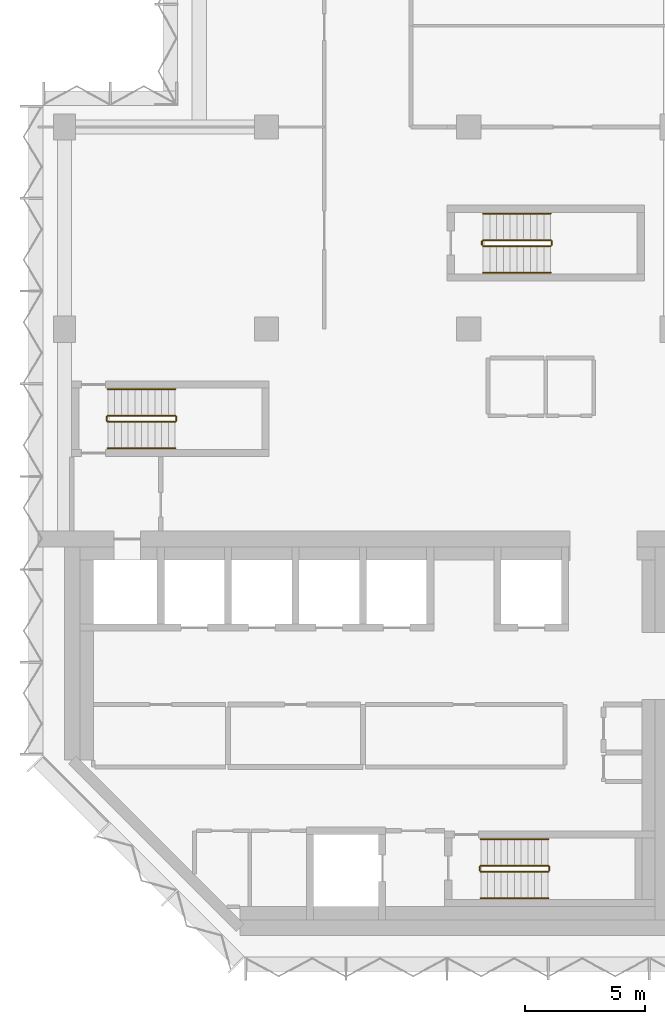
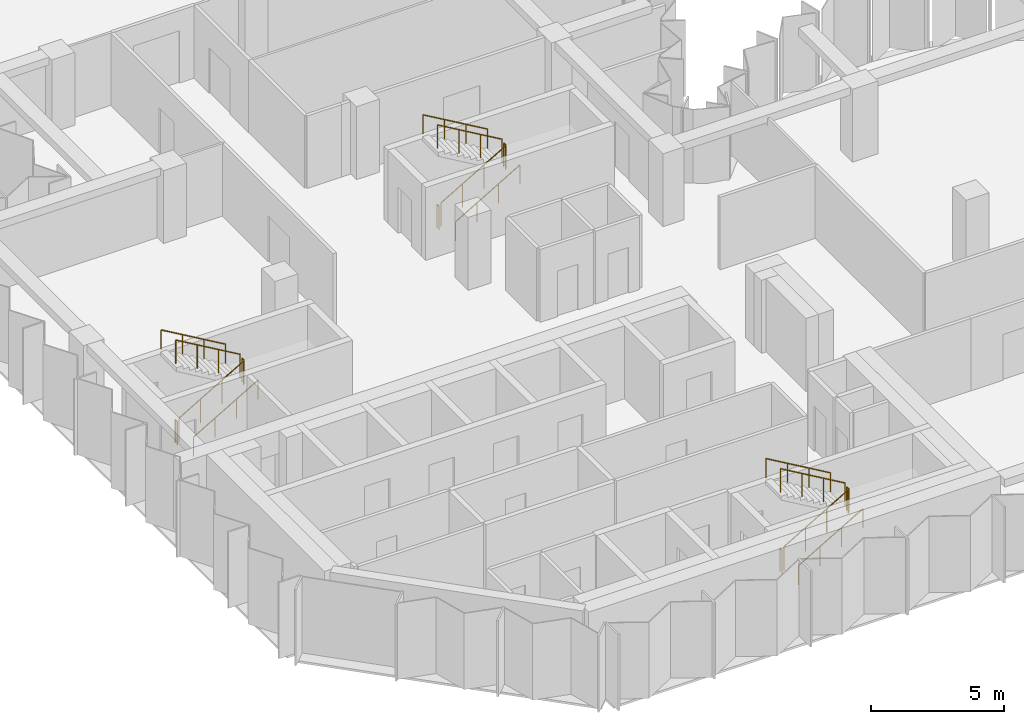
# One storey, part 8 of 9: 18 railings.
"""IFC4 building model written with IfcOpenShell, lengths in metres."""

from ifc_helpers import new_model, si_unit, direction, frame, origin, origin_2d, place, context, subcontext, project, spatial, circle, extrude, material, type_object, element, save


model = new_model("IFC4")

# Units and contexts
model_context = context("Model", 3, precision=1e-05, world=origin(), true_north=direction((0.0, 1.0)))
body_context = subcontext(model_context, "Body", "Model", "MODEL_VIEW")
ifc_project = project(units=[si_unit("LENGTHUNIT", "METRE"), si_unit("AREAUNIT", "SQUARE_METRE"), si_unit("VOLUMEUNIT", "CUBIC_METRE"), si_unit("PLANEANGLEUNIT", "RADIAN"), si_unit("MASSUNIT", "GRAM", prefix="KILO")], contexts=[model_context])

# Site, building, storey
site_placement = place(None, origin())
site = spatial("IfcSite", under=ifc_project, at=site_placement, CompositionType="ELEMENT")
building_placement = place(site_placement, origin())
building = spatial("IfcBuilding", under=site, at=building_placement, Name="Brevane Broadcast Tower", CompositionType="ELEMENT")
storey_placement = place(building_placement, frame((0.0, 0.0, 188.39990234375)))
storey = spatial("IfcBuildingStorey", under=building, at=storey_placement, Name="L47", CompositionType="ELEMENT", Elevation=188.39990234375)

# Railings
ifc_material = material(Name="Steel S355", Category="steel")
railing_type_1 = type_object("IfcRailingType", Name="Exit stair guard", PredefinedType="GUARDRAIL", material=ifc_material)
railing_1_placement = place(storey_placement, frame((1.800048828125, 21.35009765625, 0.163818359375)))
element("IfcRailing", 1, at=railing_1_placement, inside=storey, type_object=railing_type_1, Name="L47 ST-1 stair guard 1", PredefinedType="GUARDRAIL", context=body_context, shape_type="SweptSolid", body=[
    extrude(circle(Radius=0.02392578125, at=origin_2d()), frame((0.0, 0.0, 1.076171875), z_axis=(0.863393664356, 0.0, 0.504530851732), x_axis=(0.0, 1.0, 0.0)), (0.0, 0.0, 1.0), 3.2431640625),
    extrude(circle(Radius=0.02099609375, at=origin_2d()), origin(), (0.0, 0.0, 1.0), 1.052001953125),
    extrude(circle(Radius=0.02099609375, at=origin_2d()), frame((0.933349609375, 0.0, 0.54541015625)), (0.0, 0.0, 1.0), 1.052001953125),
    extrude(circle(Radius=0.02099609375, at=origin_2d()), frame((1.86669921875, 0.0, 1.0908203125)), (0.0, 0.0, 1.0), 1.052001953125),
    extrude(circle(Radius=0.02099609375, at=origin_2d()), frame((2.800048828125, 0.0, 1.63623046875)), (0.0, 0.0, 1.0), 1.052001953125),
])
railing_2_placement = place(storey_placement, frame((4.64990234375, 21.39990234375, 1.800048828125)))
element("IfcRailing", 2, at=railing_2_placement, inside=storey, type_object=railing_type_1, Name="L47 ST-1 stair guard 2", PredefinedType="GUARDRAIL", context=body_context, shape_type="SweptSolid", body=[
    extrude(circle(Radius=0.02392578125, at=origin_2d()), frame((0.0, 0.0, 1.076171875), z_axis=(0.0, 1.0, 0.0), x_axis=(-1.0, 0.0, 0.0)), (0.0, 0.0, 1.0), 0.150146484375),
    extrude(circle(Radius=0.02099609375, at=origin_2d()), origin(), (0.0, 0.0, 1.0), 1.052001953125),
    extrude(circle(Radius=0.02099609375, at=origin_2d()), frame((0.0, 0.150146484375, 0.0)), (0.0, 0.0, 1.0), 1.052001953125),
])
railing_3_placement = place(storey_placement, frame((4.60009765625, 21.60009765625, 1.963623046875)))
element("IfcRailing", 3, at=railing_3_placement, inside=storey, type_object=railing_type_1, Name="L47 ST-1 stair guard 3", PredefinedType="GUARDRAIL", context=body_context, shape_type="SweptSolid", body=[
    extrude(circle(Radius=0.02392578125, at=origin_2d()), frame((0.0, 0.0, 1.076171875), z_axis=(-0.863360870873, 0.0, 0.504586966384), x_axis=(0.0, -1.0, 0.0)), (0.0, 0.0, 1.0), 3.2431640625),
    extrude(circle(Radius=0.02099609375, at=origin_2d()), origin(), (0.0, 0.0, 1.0), 1.052001953125),
    extrude(circle(Radius=0.02099609375, at=origin_2d()), frame((-0.933349609375, 0.0, 0.54541015625)), (0.0, 0.0, 1.0), 1.052001953125),
    extrude(circle(Radius=0.02099609375, at=origin_2d()), frame((-1.86669921875, 0.0, 1.091064453125)), (0.0, 0.0, 1.0), 1.052001953125),
    extrude(circle(Radius=0.02099609375, at=origin_2d()), frame((-2.800048828125, 0.0, 1.636474609375)), (0.0, 0.0, 1.0), 1.052001953125),
])
railing_4_placement = place(storey_placement, frame((1.75, 21.39990234375, 0.0)))
element("IfcRailing", 4, at=railing_4_placement, inside=storey, type_object=railing_type_1, Name="L47 ST-1 stair guard 4", PredefinedType="GUARDRAIL", context=body_context, shape_type="SweptSolid", body=[
    extrude(circle(Radius=0.02392578125, at=origin_2d()), frame((0.0, 0.0, 1.076171875), z_axis=(0.0, 1.0, 0.0), x_axis=(-1.0, 0.0, 0.0)), (0.0, 0.0, 1.0), 0.150146484375),
    extrude(circle(Radius=0.02099609375, at=origin_2d()), origin(), (0.0, 0.0, 1.0), 1.052001953125),
    extrude(circle(Radius=0.02099609375, at=origin_2d()), frame((0.0, 0.150146484375, 0.0)), (0.0, 0.0, 1.0), 1.052001953125),
])
railing_5_placement = place(storey_placement, frame((17.300048828125, 2.64990234375, 0.163818359375)))
element("IfcRailing", 5, at=railing_5_placement, inside=storey, type_object=railing_type_1, Name="L47 ST-2 stair guard 1", PredefinedType="GUARDRAIL", context=body_context, shape_type="SweptSolid", body=[
    extrude(circle(Radius=0.02392578125, at=origin_2d()), frame((0.0, 0.0, 1.076171875), z_axis=(0.863393664356, 0.0, 0.504530851732), x_axis=(0.0, 1.0, 0.0)), (0.0, 0.0, 1.0), 3.2431640625),
    extrude(circle(Radius=0.02099609375, at=origin_2d()), origin(), (0.0, 0.0, 1.0), 1.052001953125),
    extrude(circle(Radius=0.02099609375, at=origin_2d()), frame((0.933349609375, 0.0, 0.54541015625)), (0.0, 0.0, 1.0), 1.052001953125),
    extrude(circle(Radius=0.02099609375, at=origin_2d()), frame((1.86669921875, 0.0, 1.0908203125)), (0.0, 0.0, 1.0), 1.052001953125),
    extrude(circle(Radius=0.02099609375, at=origin_2d()), frame((2.800048828125, 0.0, 1.63623046875)), (0.0, 0.0, 1.0), 1.052001953125),
])
railing_6_placement = place(storey_placement, frame((20.14990234375, 2.699951171875, 1.800048828125)))
element("IfcRailing", 6, at=railing_6_placement, inside=storey, type_object=railing_type_1, Name="L47 ST-2 stair guard 2", PredefinedType="GUARDRAIL", context=body_context, shape_type="SweptSolid", body=[
    extrude(circle(Radius=0.02392578125, at=origin_2d()), frame((0.0, 0.0, 1.076171875), z_axis=(0.0, 1.0, 0.0), x_axis=(-1.0, 0.0, 0.0)), (0.0, 0.0, 1.0), 0.150146484375),
    extrude(circle(Radius=0.02099609375, at=origin_2d()), origin(), (0.0, 0.0, 1.0), 1.052001953125),
    extrude(circle(Radius=0.02099609375, at=origin_2d()), frame((0.0, 0.150146484375, 0.0)), (0.0, 0.0, 1.0), 1.052001953125),
])
railing_7_placement = place(storey_placement, frame((20.10009765625, 2.89990234375, 1.963623046875)))
element("IfcRailing", 7, at=railing_7_placement, inside=storey, type_object=railing_type_1, Name="L47 ST-2 stair guard 3", PredefinedType="GUARDRAIL", context=body_context, shape_type="SweptSolid", body=[
    extrude(circle(Radius=0.02392578125, at=origin_2d()), frame((0.0, 0.0, 1.076171875), z_axis=(-0.863360870873, 0.0, 0.504586966384), x_axis=(0.0, -1.0, 0.0)), (0.0, 0.0, 1.0), 3.2431640625),
    extrude(circle(Radius=0.02099609375, at=origin_2d()), origin(), (0.0, 0.0, 1.0), 1.052001953125),
    extrude(circle(Radius=0.02099609375, at=origin_2d()), frame((-0.933349609375, 0.0, 0.54541015625)), (0.0, 0.0, 1.0), 1.052001953125),
    extrude(circle(Radius=0.02099609375, at=origin_2d()), frame((-1.86669921875, 0.0, 1.091064453125)), (0.0, 0.0, 1.0), 1.052001953125),
    extrude(circle(Radius=0.02099609375, at=origin_2d()), frame((-2.800048828125, 0.0, 1.636474609375)), (0.0, 0.0, 1.0), 1.052001953125),
])
railing_8_placement = place(storey_placement, frame((17.25, 2.699951171875, 0.0)))
element("IfcRailing", 8, at=railing_8_placement, inside=storey, type_object=railing_type_1, Name="L47 ST-2 stair guard 4", PredefinedType="GUARDRAIL", context=body_context, shape_type="SweptSolid", body=[
    extrude(circle(Radius=0.02392578125, at=origin_2d()), frame((0.0, 0.0, 1.076171875), z_axis=(0.0, 1.0, 0.0), x_axis=(-1.0, 0.0, 0.0)), (0.0, 0.0, 1.0), 0.150146484375),
    extrude(circle(Radius=0.02099609375, at=origin_2d()), origin(), (0.0, 0.0, 1.0), 1.052001953125),
    extrude(circle(Radius=0.02099609375, at=origin_2d()), frame((0.0, 0.150146484375, 0.0)), (0.0, 0.0, 1.0), 1.052001953125),
])
railing_9_placement = place(storey_placement, frame((17.39990234375, 28.64990234375, 0.163818359375)))
element("IfcRailing", 9, at=railing_9_placement, inside=storey, type_object=railing_type_1, Name="L47 ST-3 stair guard 1", PredefinedType="GUARDRAIL", context=body_context, shape_type="SweptSolid", body=[
    extrude(circle(Radius=0.02392578125, at=origin_2d()), frame((0.0, 0.0, 1.076171875), z_axis=(0.863393664356, 0.0, 0.504530851732), x_axis=(0.0, 1.0, 0.0)), (0.0, 0.0, 1.0), 3.2431640625),
    extrude(circle(Radius=0.02099609375, at=origin_2d()), origin(), (0.0, 0.0, 1.0), 1.052001953125),
    extrude(circle(Radius=0.02099609375, at=origin_2d()), frame((0.933349609375, 0.0, 0.54541015625)), (0.0, 0.0, 1.0), 1.052001953125),
    extrude(circle(Radius=0.02099609375, at=origin_2d()), frame((1.86669921875, 0.0, 1.0908203125)), (0.0, 0.0, 1.0), 1.052001953125),
    extrude(circle(Radius=0.02099609375, at=origin_2d()), frame((2.800048828125, 0.0, 1.63623046875)), (0.0, 0.0, 1.0), 1.052001953125),
])
railing_10_placement = place(storey_placement, frame((20.25, 28.699951171875, 1.800048828125)))
element("IfcRailing", 10, at=railing_10_placement, inside=storey, type_object=railing_type_1, Name="L47 ST-3 stair guard 2", PredefinedType="GUARDRAIL", context=body_context, shape_type="SweptSolid", body=[
    extrude(circle(Radius=0.02392578125, at=origin_2d()), frame((0.0, 0.0, 1.076171875), z_axis=(0.0, 1.0, 0.0), x_axis=(-1.0, 0.0, 0.0)), (0.0, 0.0, 1.0), 0.150146484375),
    extrude(circle(Radius=0.02099609375, at=origin_2d()), origin(), (0.0, 0.0, 1.0), 1.052001953125),
    extrude(circle(Radius=0.02099609375, at=origin_2d()), frame((0.0, 0.150146484375, 0.0)), (0.0, 0.0, 1.0), 1.052001953125),
])
railing_11_placement = place(storey_placement, frame((20.199951171875, 28.89990234375, 1.963623046875)))
element("IfcRailing", 11, at=railing_11_placement, inside=storey, type_object=railing_type_1, Name="L47 ST-3 stair guard 3", PredefinedType="GUARDRAIL", context=body_context, shape_type="SweptSolid", body=[
    extrude(circle(Radius=0.02392578125, at=origin_2d()), frame((0.0, 0.0, 1.076171875), z_axis=(-0.863360870873, 0.0, 0.504586966384), x_axis=(0.0, -1.0, 0.0)), (0.0, 0.0, 1.0), 3.2431640625),
    extrude(circle(Radius=0.02099609375, at=origin_2d()), origin(), (0.0, 0.0, 1.0), 1.052001953125),
    extrude(circle(Radius=0.02099609375, at=origin_2d()), frame((-0.933349609375, 0.0, 0.54541015625)), (0.0, 0.0, 1.0), 1.052001953125),
    extrude(circle(Radius=0.02099609375, at=origin_2d()), frame((-1.86669921875, 0.0, 1.091064453125)), (0.0, 0.0, 1.0), 1.052001953125),
    extrude(circle(Radius=0.02099609375, at=origin_2d()), frame((-2.800048828125, 0.0, 1.636474609375)), (0.0, 0.0, 1.0), 1.052001953125),
])
railing_12_placement = place(storey_placement, frame((17.35009765625, 28.699951171875, 0.0)))
element("IfcRailing", 12, at=railing_12_placement, inside=storey, type_object=railing_type_1, Name="L47 ST-3 stair guard 4", PredefinedType="GUARDRAIL", context=body_context, shape_type="SweptSolid", body=[
    extrude(circle(Radius=0.02392578125, at=origin_2d()), frame((0.0, 0.0, 1.076171875), z_axis=(0.0, 1.0, 0.0), x_axis=(-1.0, 0.0, 0.0)), (0.0, 0.0, 1.0), 0.150146484375),
    extrude(circle(Radius=0.02099609375, at=origin_2d()), origin(), (0.0, 0.0, 1.0), 1.052001953125),
    extrude(circle(Radius=0.02099609375, at=origin_2d()), frame((0.0, 0.150146484375, 0.0)), (0.0, 0.0, 1.0), 1.052001953125),
])
railing_type_2 = type_object("IfcRailingType", Name="Exit stair handrail", PredefinedType="HANDRAIL", material=ifc_material)
railing_13_placement = place(storey_placement, frame((1.800048828125, 20.25, 0.163818359375)))
element("IfcRailing", 13, at=railing_13_placement, inside=storey, type_object=railing_type_2, Name="L47 ST-1 stair handrail 1", PredefinedType="HANDRAIL", context=body_context, shape_type="SweptSolid", body=[
    extrude(circle(Radius=0.02392578125, at=origin_2d()), frame((0.0, 0.0, 0.8759765625), z_axis=(0.863393664356, 0.0, 0.504530851732), x_axis=(0.0, 1.0, 0.0)), (0.0, 0.0, 1.0), 3.2431640625),
    extrude(circle(Radius=0.02099609375, at=origin_2d()), origin(), (0.0, 0.0, 1.0), 0.851806640625),
    extrude(circle(Radius=0.02099609375, at=origin_2d()), frame((0.933349609375, 0.0, 0.54541015625)), (0.0, 0.0, 1.0), 0.851806640625),
    extrude(circle(Radius=0.02099609375, at=origin_2d()), frame((1.86669921875, 0.0, 1.0908203125)), (0.0, 0.0, 1.0), 0.851806640625),
    extrude(circle(Radius=0.02099609375, at=origin_2d()), frame((2.800048828125, 0.0, 1.63623046875)), (0.0, 0.0, 1.0), 0.851806640625),
])
railing_14_placement = place(storey_placement, frame((4.60009765625, 22.699951171875, 1.963623046875)))
element("IfcRailing", 14, at=railing_14_placement, inside=storey, type_object=railing_type_2, Name="L47 ST-1 stair handrail 2", PredefinedType="HANDRAIL", context=body_context, shape_type="SweptSolid", body=[
    extrude(circle(Radius=0.02392578125, at=origin_2d()), frame((0.0, 0.0, 0.8759765625), z_axis=(-0.863360870873, 0.0, 0.504586966384), x_axis=(0.0, -1.0, 0.0)), (0.0, 0.0, 1.0), 3.2431640625),
    extrude(circle(Radius=0.02099609375, at=origin_2d()), origin(), (0.0, 0.0, 1.0), 0.851806640625),
    extrude(circle(Radius=0.02099609375, at=origin_2d()), frame((-0.933349609375, 0.0, 0.54541015625)), (0.0, 0.0, 1.0), 0.851806640625),
    extrude(circle(Radius=0.02099609375, at=origin_2d()), frame((-1.86669921875, 0.0, 1.091064453125)), (0.0, 0.0, 1.0), 0.851806640625),
    extrude(circle(Radius=0.02099609375, at=origin_2d()), frame((-2.800048828125, 0.0, 1.636474609375)), (0.0, 0.0, 1.0), 0.851806640625),
])
railing_15_placement = place(storey_placement, frame((17.300048828125, 1.550048828125, 0.163818359375)))
element("IfcRailing", 15, at=railing_15_placement, inside=storey, type_object=railing_type_2, Name="L47 ST-2 stair handrail 1", PredefinedType="HANDRAIL", context=body_context, shape_type="SweptSolid", body=[
    extrude(circle(Radius=0.02392578125, at=origin_2d()), frame((0.0, 0.0, 0.8759765625), z_axis=(0.863393664356, 0.0, 0.504530851732), x_axis=(0.0, 1.0, 0.0)), (0.0, 0.0, 1.0), 3.2431640625),
    extrude(circle(Radius=0.02099609375, at=origin_2d()), origin(), (0.0, 0.0, 1.0), 0.851806640625),
    extrude(circle(Radius=0.02099609375, at=origin_2d()), frame((0.933349609375, 0.0, 0.54541015625)), (0.0, 0.0, 1.0), 0.851806640625),
    extrude(circle(Radius=0.02099609375, at=origin_2d()), frame((1.86669921875, 0.0, 1.0908203125)), (0.0, 0.0, 1.0), 0.851806640625),
    extrude(circle(Radius=0.02099609375, at=origin_2d()), frame((2.800048828125, 0.0, 1.63623046875)), (0.0, 0.0, 1.0), 0.851806640625),
])
railing_16_placement = place(storey_placement, frame((20.10009765625, 4.0, 1.963623046875)))
element("IfcRailing", 16, at=railing_16_placement, inside=storey, type_object=railing_type_2, Name="L47 ST-2 stair handrail 2", PredefinedType="HANDRAIL", context=body_context, shape_type="SweptSolid", body=[
    extrude(circle(Radius=0.02392578125, at=origin_2d()), frame((0.0, 0.0, 0.8759765625), z_axis=(-0.863360870873, 0.0, 0.504586966384), x_axis=(0.0, -1.0, 0.0)), (0.0, 0.0, 1.0), 3.2431640625),
    extrude(circle(Radius=0.02099609375, at=origin_2d()), origin(), (0.0, 0.0, 1.0), 0.851806640625),
    extrude(circle(Radius=0.02099609375, at=origin_2d()), frame((-0.933349609375, 0.0, 0.54541015625)), (0.0, 0.0, 1.0), 0.851806640625),
    extrude(circle(Radius=0.02099609375, at=origin_2d()), frame((-1.86669921875, 0.0, 1.091064453125)), (0.0, 0.0, 1.0), 0.851806640625),
    extrude(circle(Radius=0.02099609375, at=origin_2d()), frame((-2.800048828125, 0.0, 1.636474609375)), (0.0, 0.0, 1.0), 0.851806640625),
])
railing_17_placement = place(storey_placement, frame((17.39990234375, 27.550048828125, 0.163818359375)))
element("IfcRailing", 17, at=railing_17_placement, inside=storey, type_object=railing_type_2, Name="L47 ST-3 stair handrail 1", PredefinedType="HANDRAIL", context=body_context, shape_type="SweptSolid", body=[
    extrude(circle(Radius=0.02392578125, at=origin_2d()), frame((0.0, 0.0, 0.8759765625), z_axis=(0.863393664356, 0.0, 0.504530851732), x_axis=(0.0, 1.0, 0.0)), (0.0, 0.0, 1.0), 3.2431640625),
    extrude(circle(Radius=0.02099609375, at=origin_2d()), origin(), (0.0, 0.0, 1.0), 0.851806640625),
    extrude(circle(Radius=0.02099609375, at=origin_2d()), frame((0.933349609375, 0.0, 0.54541015625)), (0.0, 0.0, 1.0), 0.851806640625),
    extrude(circle(Radius=0.02099609375, at=origin_2d()), frame((1.86669921875, 0.0, 1.0908203125)), (0.0, 0.0, 1.0), 0.851806640625),
    extrude(circle(Radius=0.02099609375, at=origin_2d()), frame((2.800048828125, 0.0, 1.63623046875)), (0.0, 0.0, 1.0), 0.851806640625),
])
railing_18_placement = place(storey_placement, frame((20.199951171875, 30.0, 1.963623046875)))
element("IfcRailing", 18, at=railing_18_placement, inside=storey, type_object=railing_type_2, Name="L47 ST-3 stair handrail 2", PredefinedType="HANDRAIL", context=body_context, shape_type="SweptSolid", body=[
    extrude(circle(Radius=0.02392578125, at=origin_2d()), frame((0.0, 0.0, 0.8759765625), z_axis=(-0.863360870873, 0.0, 0.504586966384), x_axis=(0.0, -1.0, 0.0)), (0.0, 0.0, 1.0), 3.2431640625),
    extrude(circle(Radius=0.02099609375, at=origin_2d()), origin(), (0.0, 0.0, 1.0), 0.851806640625),
    extrude(circle(Radius=0.02099609375, at=origin_2d()), frame((-0.933349609375, 0.0, 0.54541015625)), (0.0, 0.0, 1.0), 0.851806640625),
    extrude(circle(Radius=0.02099609375, at=origin_2d()), frame((-1.86669921875, 0.0, 1.091064453125)), (0.0, 0.0, 1.0), 0.851806640625),
    extrude(circle(Radius=0.02099609375, at=origin_2d()), frame((-2.800048828125, 0.0, 1.636474609375)), (0.0, 0.0, 1.0), 0.851806640625),
])

save(model, "model.ifc")
